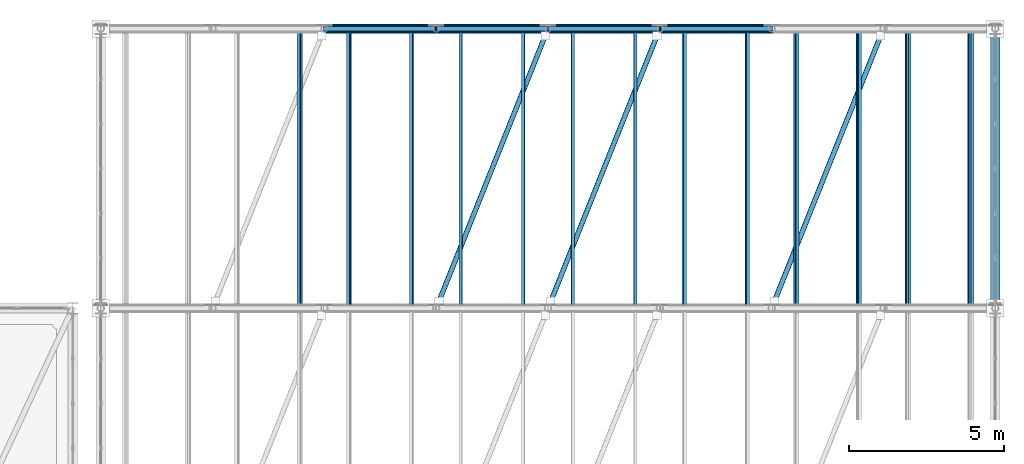
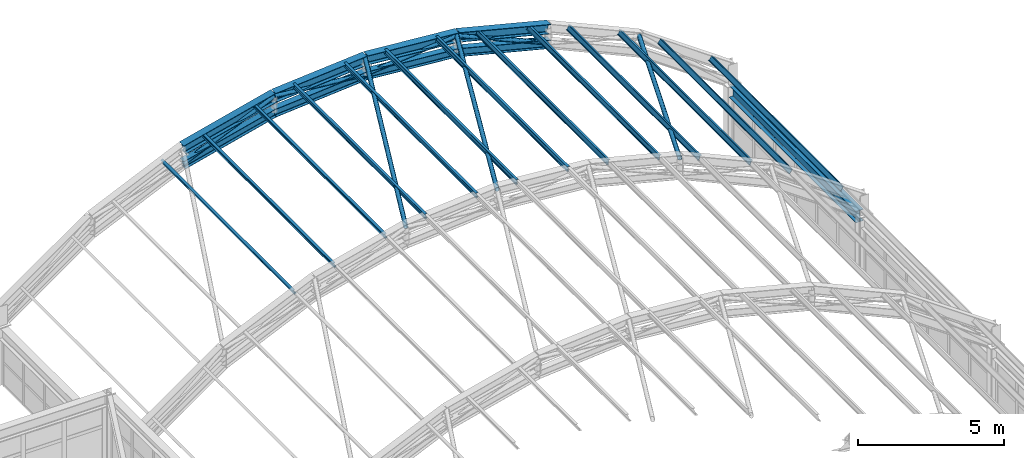
# One storey, part 82 of 121: 24 members, 5 beams.
"""IFC4 building model written with IfcOpenShell, lengths in metres."""

import ifcopenshell
import ifcopenshell.guid

model = None  # the IFC model being written
_history = None  # IfcOwnerHistory: only IFC2X3 demands one
_inside = {}  # id of a spatial element -> (the spatial element, [elements in it])
_under = {}  # id of a project, library or spatial element -> (it, [spatial elements below it])
_declared = {}  # id of a project -> (the project, [libraries it declares])
_typed = {}  # id of a type object -> (the type object, [elements of that type])
_made_of = {}  # id of a material, layer set ... -> (it, [elements and type objects made of it])


def new_model(schema):
    """Start an empty IFC model of exactly this schema.

    Asked for "IFC4X3", IfcOpenShell would pick the latest addendum, in which some entities
    have other attributes; the version numbers below select the first issue.
    IFC2X3 requires an IfcOwnerHistory on every rooted entity: one is made here for all.
    """
    global model, _history
    if schema == "IFC4X3":
        model = ifcopenshell.file(schema_version=(4, 3, 0, 0))
    else:
        model = ifcopenshell.file(schema=schema)
    _inside.clear()
    _under.clear()
    _declared.clear()
    _typed.clear()
    _made_of.clear()
    _history = None
    if model.schema == "IFC2X3":
        org = make("IfcOrganization", Name="unknown")
        user = make(
            "IfcPersonAndOrganization",
            ThePerson=make("IfcPerson", FamilyName="unknown"),
            TheOrganization=org,
        )
        app = make(
            "IfcApplication",
            ApplicationDeveloper=org,
            Version="unknown",
            ApplicationFullName="unknown",
            ApplicationIdentifier="unknown",
        )
        _history = make(
            "IfcOwnerHistory",
            OwningUser=user,
            OwningApplication=app,
            ChangeAction="ADDED",
            CreationDate=0,
        )
    return model


def make(cls, **values):
    """One entity of the class cls with the attributes given. An attribute that is None is left unset."""
    return model.create_entity(
        cls, **{name: value for name, value in values.items() if value is not None}
    )


def rooted(cls, **values):
    """An entity with a GlobalId (a new one), such as an element, a storey or a relation."""
    return make(cls, GlobalId=ifcopenshell.guid.new(), OwnerHistory=_history, **values)


def si_unit(unit_type, name, prefix=None):
    """IfcSIUnit, for example si_unit("LENGTHUNIT", "METRE", prefix="MILLI")."""
    return make("IfcSIUnit", UnitType=unit_type, Prefix=prefix, Name=name)


def assignment(units):
    """IfcUnitAssignment: the units of a project."""
    return None if units is None else make("IfcUnitAssignment", Units=units)


def point(xyz):
    """IfcCartesianPoint."""
    return None if xyz is None else make("IfcCartesianPoint", Coordinates=xyz)


def direction(xyz):
    """IfcDirection."""
    return None if xyz is None else make("IfcDirection", DirectionRatios=xyz)


def frame(location, z_axis=None, x_axis=None):
    """IfcAxis2Placement3D, a coordinate frame: its origin and axes. An axis left out is left unset."""
    return make(
        "IfcAxis2Placement3D",
        Location=point(location),
        Axis=direction(z_axis),
        RefDirection=direction(x_axis),
    )


def frame_2d(location, x_axis=None):
    """IfcAxis2Placement2D, a coordinate frame in the plane: its origin and x axis."""
    return make(
        "IfcAxis2Placement2D", Location=point(location), RefDirection=direction(x_axis)
    )


def origin():
    """The frame at (0, 0, 0) with its axes left unset."""
    return frame((0.0, 0.0, 0.0))


def origin_2d():
    """The frame at (0, 0) in the plane with its x axis left unset."""
    return frame_2d((0.0, 0.0))


def place(relative_to, where):
    """IfcLocalPlacement: puts the frame where relative to a parent placement (None: the world)."""
    return make(
        "IfcLocalPlacement", PlacementRelTo=relative_to, RelativePlacement=where
    )


def context(
    kind, dimensions, precision=None, world=None, true_north=None, identifier=None
):
    """IfcGeometricRepresentationContext, for example the 3D "Model" context."""
    return make(
        "IfcGeometricRepresentationContext",
        ContextIdentifier=identifier,
        ContextType=kind,
        CoordinateSpaceDimension=dimensions,
        Precision=precision,
        WorldCoordinateSystem=world,
        TrueNorth=true_north,
    )


def subcontext(parent, identifier, kind, view, scale=None):
    """IfcGeometricRepresentationSubContext, for example "Body" below "Model"."""
    return make(
        "IfcGeometricRepresentationSubContext",
        ContextIdentifier=identifier,
        ContextType=kind,
        ParentContext=parent,
        TargetScale=scale,
        TargetView=view,
    )


def project(units=None, contexts=None):
    """IfcProject with its units and contexts."""
    return rooted(
        "IfcProject",
        Name="project",
        RepresentationContexts=contexts,
        UnitsInContext=assignment(units),
    )


def spatial(cls, under=None, at=None, **own):
    """A site, building, storey or space (cls), placed at a placement, below another one or the project."""
    s = rooted(cls, ObjectPlacement=at, **own)
    if under is not None:
        _under.setdefault(under.id(), (under, []))[1].append(s)
    return s


def profile(cls, at=None, kind="AREA", **sizes):
    """A parametric profile (cls). Its sizes go by their IFC names, for example OverallWidth=200.0."""
    return make(cls, ProfileType=kind, Position=at, **sizes)


def hollow_circle(**sizes):
    """IfcCircleHollowProfileDef."""
    return profile("IfcCircleHollowProfileDef", **sizes)


def i_section(**sizes):
    """IfcIShapeProfileDef."""
    return profile("IfcIShapeProfileDef", **sizes)


def extrude(swept, where, along, depth):
    """IfcExtrudedAreaSolid: the profile swept, set in the frame where, extruded along a direction by depth."""
    return make(
        "IfcExtrudedAreaSolid",
        SweptArea=swept,
        Position=where,
        ExtrudedDirection=direction(along),
        Depth=depth,
    )


def shape(context_of_items, identifier, shape_type, items):
    """IfcShapeRepresentation: the items that make up one representation, for example the "Body"."""
    return make(
        "IfcShapeRepresentation",
        ContextOfItems=context_of_items,
        RepresentationIdentifier=identifier,
        RepresentationType=shape_type,
        Items=items,
    )


def material(Name=None, Category=None):
    """IfcMaterial."""
    return make("IfcMaterial", Name=Name, Category=Category)


def material_profile(
    of_material, cross_section, Name=None, Category=None, Priority=None
):
    """IfcMaterialProfile: a cross section and its material."""
    return make(
        "IfcMaterialProfile",
        Name=Name,
        Material=of_material,
        Profile=cross_section,
        Priority=Priority,
        Category=Category,
    )


def profile_set(profiles, Name=None, composite=None):
    """IfcMaterialProfileSet."""
    return make(
        "IfcMaterialProfileSet",
        Name=Name,
        MaterialProfiles=profiles,
        CompositeProfile=composite,
    )


def made_of(thing, what):
    """Note that an element or type object is made of a material, layer set ...; save() writes the relation."""
    if what is not None:
        _made_of.setdefault(what.id(), (what, []))[1].append(thing)
    return thing


def type_object(cls, material=None, **own):
    """A type object (cls), such as IfcWallType, which elements share."""
    return made_of(rooted(cls, **own), material)


def element(
    cls,
    number,
    at=None,
    inside=None,
    cuts=None,
    type_object=None,
    material=None,
    context=None,
    identifier="Body",
    shape_type=None,
    held_by="IfcProductDefinitionShape",
    body=None,
    shapes=None,
    **own,
):
    """One element of the class cls, such as IfcWall. Its Tag is "e" and its number.

    at: its placement. inside: the storey or other place that contains it. cuts: it is an
    opening in that element (IfcRelVoidsElement). A single representation is given by context,
    identifier, shape_type and body (its items); several are given by shapes. held_by: the class
    of the entity that holds the representations. save() writes the other relations.
    """
    e = rooted(cls, Tag="e%d" % number, ObjectPlacement=at, **own)
    if body is not None:
        shapes = [shape(context, identifier, shape_type, body)]
    if shapes is not None:
        e.Representation = make(held_by, Representations=shapes)
    if inside is not None:
        _inside.setdefault(inside.id(), (inside, []))[1].append(e)
    if cuts is not None:
        rooted(
            "IfcRelVoidsElement", RelatingBuildingElement=cuts, RelatedOpeningElement=e
        )
    if type_object is not None:
        _typed.setdefault(type_object.id(), (type_object, []))[1].append(e)
    return made_of(e, material)


def aggregate(whole, parts):
    """IfcRelAggregates: a whole, such as a stair, and the parts it consists of."""
    return rooted("IfcRelAggregates", RelatingObject=whole, RelatedObjects=parts)


def save(model, path):
    """Write the relations noted so far, then the file.

    IfcRelAggregates (storeys below a building ...), IfcRelContainedInSpatialStructure (elements
    in a storey), IfcRelDefinesByType, IfcRelAssociatesMaterial and IfcRelDeclares: one each for
    every whole, place, type object, material and project.
    """
    for whole, parts in _under.values():
        aggregate(whole, parts)
    for where, things in _inside.values():
        rooted(
            "IfcRelContainedInSpatialStructure",
            RelatedElements=things,
            RelatingStructure=where,
        )
    for kind, things in _typed.values():
        rooted("IfcRelDefinesByType", RelatedObjects=things, RelatingType=kind)
    for what, things in _made_of.values():
        rooted("IfcRelAssociatesMaterial", RelatedObjects=things, RelatingMaterial=what)
    for by, libraries in _declared.values():
        rooted("IfcRelDeclares", RelatingContext=by, RelatedDefinitions=libraries)
    model.write(path)


model = new_model("IFC4")

# Units and contexts
model_context = context("Model", 3, precision=1e-05, world=origin(), true_north=direction((0.0, 1.0)))
body_context = subcontext(model_context, "Body", "Model", "MODEL_VIEW")
ifc_project = project(units=[si_unit("LENGTHUNIT", "METRE"), si_unit("AREAUNIT", "SQUARE_METRE"), si_unit("VOLUMEUNIT", "CUBIC_METRE"), si_unit("PLANEANGLEUNIT", "RADIAN"), si_unit("MASSUNIT", "GRAM", prefix="KILO")], contexts=[model_context])

# Site, building, storey
site_placement = place(None, origin())
site = spatial("IfcSite", under=ifc_project, at=site_placement, CompositionType="ELEMENT")
building_placement = place(site_placement, origin())
building = spatial("IfcBuilding", under=site, at=building_placement, Name="Canglan Escarpment Cableway Terminal", CompositionType="ELEMENT")
storey_placement = place(building_placement, frame((0.0, 0.0, 24.60009765625)))
storey = spatial("IfcBuildingStorey", under=building, at=storey_placement, Name="L05", CompositionType="ELEMENT", Elevation=24.60009765625)

# Beams
ifc_material = material(Name="Steel Q355B", Category="steel")
ifc_material_profile_1 = material_profile(ifc_material, i_section(OverallWidth=0.300048828125, OverallDepth=0.389892578125, WebThickness=0.010009765625, FlangeThickness=0.01611328125, FilletRadius=0.02197265625, at=origin_2d()), Name="HM 390x300x10x16")
ifc_profile_set_1 = profile_set([ifc_material_profile_1], Name="Steel Q355B")
beam_type_1 = type_object("IfcBeamType", Name="BM-ARCH-TOP-HM390", PredefinedType="BEAM", material=ifc_profile_set_1)
beam_1_placement = place(storey_placement, frame((144.800048828125, 124.0, 7.23828125), z_axis=(0.969179969731, 0.0, 0.246353782743), x_axis=(0.0, 1.0, 0.0)))
element("IfcBeam", 1, at=beam_1_placement, inside=storey, type_object=beam_type_1, Name="Vault ROOF TRUSS arch top chord AR-TC1", PredefinedType="BEAM", context=body_context, shape_type="SweptSolid", body=[
    extrude(i_section(OverallWidth=0.300048828125, OverallDepth=0.389892578125, WebThickness=0.010009765625, FlangeThickness=0.01611328125, FilletRadius=0.02197265625, at=origin_2d()), origin(), (0.0, 0.0, 1.0), 3.71435546875),
])
for number, where, z_axis, x_axis, name in (
    (2, (148.39990234375, 124.0, 8.1533203125), (0.996622699984, 0.0, 0.082116952426), (0.0, 1.0, 0.0), "Vault ROOF TRUSS arch top chord AR-TC1"),
    (3, (152.0, 124.0, 8.449951171875), (0.996622699984, 0.0, -0.082116952426), (0.0, 1.0, 0.0), "Vault ROOF TRUSS arch top chord AR-TC1"),
):
    element("IfcBeam", number, at=place(storey_placement, frame(where, z_axis=z_axis, x_axis=x_axis)), inside=storey, type_object=beam_type_1, Name=name, PredefinedType="BEAM", context=body_context, shape_type="SweptSolid", body=[
        extrude(i_section(OverallWidth=0.300048828125, OverallDepth=0.389892578125, WebThickness=0.010009765625, FlangeThickness=0.01611328125, FilletRadius=0.02197265625, at=origin_2d()), origin(), (0.0, 0.0, 1.0), 3.6123046875),
    ])
beam_2_placement = place(storey_placement, frame((155.60009765625, 124.0, 8.1533203125), z_axis=(0.969179969731, 0.0, -0.246353782743), x_axis=(0.0, 1.0, 0.0)))
element("IfcBeam", 4, at=beam_2_placement, inside=storey, type_object=beam_type_1, Name="Vault ROOF TRUSS arch top chord AR-TC1", PredefinedType="BEAM", context=body_context, shape_type="SweptSolid", body=[
    extrude(i_section(OverallWidth=0.300048828125, OverallDepth=0.389892578125, WebThickness=0.010009765625, FlangeThickness=0.01611328125, FilletRadius=0.02197265625, at=origin_2d()), origin(), (0.0, 0.0, 1.0), 3.71435546875),
])
ifc_material_profile_2 = material_profile(ifc_material, i_section(OverallWidth=0.300048828125, OverallDepth=0.488037109375, WebThickness=0.010986328125, FlangeThickness=0.01806640625, FilletRadius=0.02587890625, at=origin_2d()), Name="HM 488x300x11x18")
ifc_profile_set_2 = profile_set([ifc_material_profile_2], Name="Steel Q355B")
beam_type_2 = type_object("IfcBeamType", Name="BM-HM488", PredefinedType="BEAM", material=ifc_profile_set_2)
beam_3_placement = place(storey_placement, frame((166.39990234375, 115.175048828125, 2.1884765625), z_axis=(0.0, 1.0, 0.0), x_axis=(-1.0, 0.0, 0.0)))
element("IfcBeam", 5, at=beam_3_placement, inside=storey, type_object=beam_type_2, Name="Vault springing ring girder B-09", PredefinedType="BEAM", context=body_context, shape_type="SweptSolid", body=[
    extrude(i_section(OverallWidth=0.300048828125, OverallDepth=0.488037109375, WebThickness=0.010986328125, FlangeThickness=0.01806640625, FilletRadius=0.02587890625, at=origin_2d()), origin(), (0.0, 0.0, 1.0), 8.64990234375),
])

# Members
ifc_material_profile_3 = material_profile(ifc_material, i_section(OverallWidth=0.25, OverallDepth=0.340087890625, WebThickness=0.009033203125, FlangeThickness=0.013916015625, FilletRadius=0.02001953125, at=origin_2d()), Name="HM 340x250x9x14")
ifc_profile_set_3 = profile_set([ifc_material_profile_3], Name="Steel Q355B")
member_type_1 = type_object("IfcMemberType", Name="MB-ARCH-BOT-HM340", PredefinedType="CHORD", material=ifc_profile_set_3)
member_1_placement = place(storey_placement, frame((144.800048828125, 124.0, 6.58837890625), z_axis=(0.969179969731, 0.0, 0.246353782743), x_axis=(0.0, 1.0, 0.0)))
element("IfcMember", 6, at=member_1_placement, inside=storey, type_object=member_type_1, Name="Vault ROOF TRUSS arch bottom chord AR-BC1", PredefinedType="CHORD", context=body_context, shape_type="SweptSolid", body=[
    extrude(i_section(OverallWidth=0.25, OverallDepth=0.340087890625, WebThickness=0.009033203125, FlangeThickness=0.013916015625, FilletRadius=0.02001953125, at=origin_2d()), origin(), (0.0, 0.0, 1.0), 3.71435546875),
])
for number, where, z_axis, x_axis, name in (
    (7, (148.39990234375, 124.0, 7.50341796875), (0.996628228964, 0.0, 0.082049821644), (0.0, 1.0, 0.0), "Vault ROOF TRUSS arch bottom chord AR-BC1"),
    (8, (152.0, 124.0, 7.7998046875), (0.996628228964, 0.0, -0.082049821644), (0.0, 1.0, 0.0), "Vault ROOF TRUSS arch bottom chord AR-BC1"),
):
    element("IfcMember", number, at=place(storey_placement, frame(where, z_axis=z_axis, x_axis=x_axis)), inside=storey, type_object=member_type_1, Name=name, PredefinedType="CHORD", context=body_context, shape_type="SweptSolid", body=[
        extrude(i_section(OverallWidth=0.25, OverallDepth=0.340087890625, WebThickness=0.009033203125, FlangeThickness=0.013916015625, FilletRadius=0.02001953125, at=origin_2d()), origin(), (0.0, 0.0, 1.0), 3.6123046875),
    ])
member_2_placement = place(storey_placement, frame((155.60009765625, 124.0, 7.50341796875), z_axis=(0.969179969731, 0.0, -0.246353782743), x_axis=(0.0, 1.0, 0.0)))
element("IfcMember", 9, at=member_2_placement, inside=storey, type_object=member_type_1, Name="Vault ROOF TRUSS arch bottom chord AR-BC1", PredefinedType="CHORD", context=body_context, shape_type="SweptSolid", body=[
    extrude(i_section(OverallWidth=0.25, OverallDepth=0.340087890625, WebThickness=0.009033203125, FlangeThickness=0.013916015625, FilletRadius=0.02001953125, at=origin_2d()), origin(), (0.0, 0.0, 1.0), 3.71435546875),
])
ifc_material_profile_4 = material_profile(ifc_material, hollow_circle(Radius=0.084228515625, WallThickness=0.006103515625, at=origin_2d()), Name="CHS 168.3x6")
ifc_profile_set_4 = profile_set([ifc_material_profile_4], Name="Steel Q355B")
member_type_2 = type_object("IfcMemberType", Name="MB-ARCH-DIAG-CHS168", PredefinedType="BRACE", material=ifc_profile_set_4)
member_3_placement = place(storey_placement, frame((144.800048828125, 124.0, 6.58837890625), z_axis=(0.917089831489, 0.0, 0.398680625286), x_axis=(0.0, 1.0, 0.0)))
element("IfcMember", 10, at=member_3_placement, inside=storey, type_object=member_type_2, Name="Vault ROOF TRUSS web diagonal AR-DG1", PredefinedType="BRACE", context=body_context, shape_type="SweptSolid", body=[
    extrude(hollow_circle(Radius=0.084228515625, WallThickness=0.006103515625, at=origin_2d()), origin(), (0.0, 0.0, 1.0), 3.92529296875),
])
for number, where, z_axis, x_axis, name in (
    (11, (148.39990234375, 124.0, 8.1533203125), (0.995213349609, 0.0, -0.097726090481), (0.0, 1.0, 0.0), "Vault ROOF TRUSS web diagonal AR-DG1"),
    (12, (152.0, 124.0, 7.7998046875), (0.995213349609, 0.0, 0.097726090481), (0.0, 1.0, 0.0), "Vault ROOF TRUSS web diagonal AR-DG1"),
):
    element("IfcMember", number, at=place(storey_placement, frame(where, z_axis=z_axis, x_axis=x_axis)), inside=storey, type_object=member_type_2, Name=name, PredefinedType="BRACE", context=body_context, shape_type="SweptSolid", body=[
        extrude(hollow_circle(Radius=0.084228515625, WallThickness=0.006103515625, at=origin_2d()), origin(), (0.0, 0.0, 1.0), 3.617431640625),
    ])
member_4_placement = place(storey_placement, frame((155.60009765625, 124.0, 8.1533203125), z_axis=(0.917089831489, 0.0, -0.398680625286), x_axis=(0.0, 1.0, 0.0)))
element("IfcMember", 13, at=member_4_placement, inside=storey, type_object=member_type_2, Name="Vault ROOF TRUSS web diagonal AR-DG1", PredefinedType="BRACE", context=body_context, shape_type="SweptSolid", body=[
    extrude(hollow_circle(Radius=0.084228515625, WallThickness=0.006103515625, at=origin_2d()), origin(), (0.0, 0.0, 1.0), 3.92529296875),
])
ifc_material_profile_5 = material_profile(ifc_material, hollow_circle(Radius=0.084228515625, WallThickness=0.006103515625, at=origin_2d()), Name="CHS 168.3x6")
ifc_profile_set_5 = profile_set([ifc_material_profile_5], Name="Steel Q355B")
member_type_3 = type_object("IfcMemberType", Name="MB-ROOF-BR-CHS168", PredefinedType="BRACE", material=ifc_profile_set_5)
for number, where, z_axis, x_axis, name in (
    (14, (148.39990234375, 115.0, 8.1533203125), (0.371225584171, 0.928038785765, 0.030587215839), (-0.928473216852, 0.37139936132, 0.0), "Vault roof plane wind brace BR-03"),
    (15, (152.0, 115.0, 8.449951171875), (0.371225584171, 0.928038785765, -0.030587215839), (-0.928473216852, 0.37139936132, 0.0), "Vault roof plane wind brace BR-03"),
):
    element("IfcMember", number, at=place(storey_placement, frame(where, z_axis=z_axis, x_axis=x_axis)), inside=storey, type_object=member_type_3, Name=name, PredefinedType="BRACE", context=body_context, shape_type="SweptSolid", body=[
        extrude(hollow_circle(Radius=0.084228515625, WallThickness=0.006103515625, at=origin_2d()), origin(), (0.0, 0.0, 1.0), 9.69775390625),
    ])
member_5_placement = place(storey_placement, frame((159.199951171875, 115.0, 7.23828125), z_axis=(0.366307573698, 0.915744093096, -0.165019748547), x_axis=(-0.928473216852, 0.37139936132, 0.0)))
element("IfcMember", 16, at=member_5_placement, inside=storey, type_object=member_type_3, Name="Vault roof plane wind brace BR-03", PredefinedType="BRACE", context=body_context, shape_type="SweptSolid", body=[
    extrude(hollow_circle(Radius=0.084228515625, WallThickness=0.006103515625, at=origin_2d()), origin(), (0.0, 0.0, 1.0), 9.828125),
])
ifc_material_profile_6 = material_profile(ifc_material, i_section(OverallWidth=0.10009765625, OverallDepth=0.199951171875, WebThickness=0.005615234375, FlangeThickness=0.008056640625, FilletRadius=0.010986328125, at=origin_2d()), Name="HN 200x100x5.5x8")
ifc_profile_set_6 = profile_set([ifc_material_profile_6], Name="Steel Q355B")
member_type_4 = type_object("IfcMemberType", Name="MB-VAULT-PUR-HN200", PredefinedType="PURLIN", material=ifc_profile_set_6)
for number, where, z_axis, x_axis, name in (
    (17, (144.008056640625, 115.0, 6.968017578125), (0.0, 1.0, 0.0), (-0.911740537138, 0.0, -0.410766591799), "Barrel-vault roof purlin PR-01"),
    (18, (145.592041015625, 115.0, 7.533203125), (0.0, 1.0, 0.0), (-0.969183633805, 0.0, -0.246339367468), "Barrel-vault roof purlin PR-01"),
    (19, (147.60791015625, 115.0, 8.045654296875), (0.0, 1.0, 0.0), (-0.969183633805, 0.0, -0.246339367468), "Barrel-vault roof purlin PR-01"),
    (20, (149.19189453125, 115.0, 8.315185546875), (0.0, 1.0, 0.0), (-0.996625936329, 0.0, -0.082077664662), "Barrel-vault roof purlin PR-01"),
    (21, (151.2080078125, 115.0, 8.481201171875), (0.0, 1.0, 0.0), (-0.996625936329, 0.0, -0.082077664662), "Barrel-vault roof purlin PR-01"),
    (22, (152.7919921875, 115.0, 8.481201171875), (0.0, 1.0, 0.0), (-0.996625936329, 0.0, 0.082077664662), "Barrel-vault roof purlin PR-01"),
    (23, (154.80810546875, 115.0, 8.315185546875), (0.0, 1.0, 0.0), (-0.996625936329, 0.0, 0.082077664662), "Barrel-vault roof purlin PR-01"),
    (24, (156.39208984375, 115.0, 8.045654296875), (0.0, 1.0, 0.0), (-0.969183633805, 0.0, 0.246339367468), "Barrel-vault roof purlin PR-01"),
    (25, (158.407958984375, 115.0, 7.533203125), (0.0, 1.0, 0.0), (-0.969183633805, 0.0, 0.246339367468), "Barrel-vault roof purlin PR-01"),
    (26, (159.991943359375, 115.0, 6.968017578125), (0.0, 1.0, 0.0), (-0.911740537138, 0.0, 0.410766591799), "Barrel-vault roof purlin PR-01"),
    (27, (162.008056640625, 115.0, 6.059814453125), (0.0, 1.0, 0.0), (-0.911740537138, 0.0, 0.410766591799), "Barrel-vault roof purlin PR-01"),
    (28, (163.592041015625, 115.0, 5.1318359375), (0.0, 1.0, 0.0), (-0.817727996784, 0.0, 0.575604832568), "Barrel-vault roof purlin PR-01"),
    (29, (165.60791015625, 115.0, 3.712890625), (0.0, 1.0, 0.0), (-0.817727996784, 0.0, 0.575604832568), "Barrel-vault roof purlin PR-01"),
):
    element("IfcMember", number, at=place(storey_placement, frame(where, z_axis=z_axis, x_axis=x_axis)), inside=storey, type_object=member_type_4, Name=name, PredefinedType="PURLIN", context=body_context, shape_type="SweptSolid", body=[
        extrude(i_section(OverallWidth=0.10009765625, OverallDepth=0.199951171875, WebThickness=0.005615234375, FlangeThickness=0.008056640625, FilletRadius=0.010986328125, at=origin_2d()), origin(), (0.0, 0.0, 1.0), 9.0),
    ])

save(model, "model.ifc")
